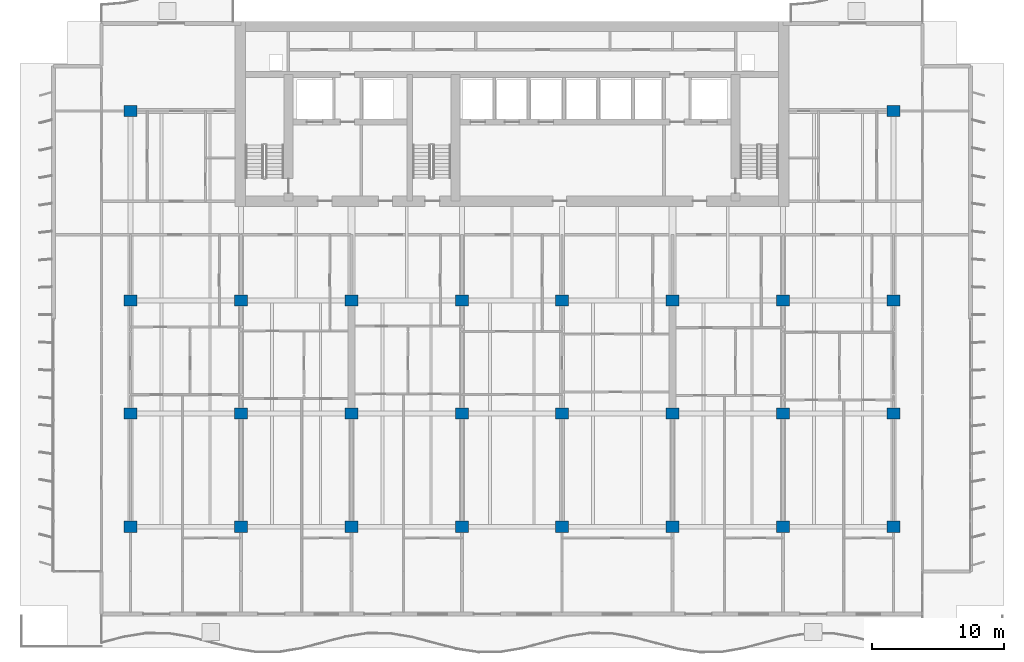
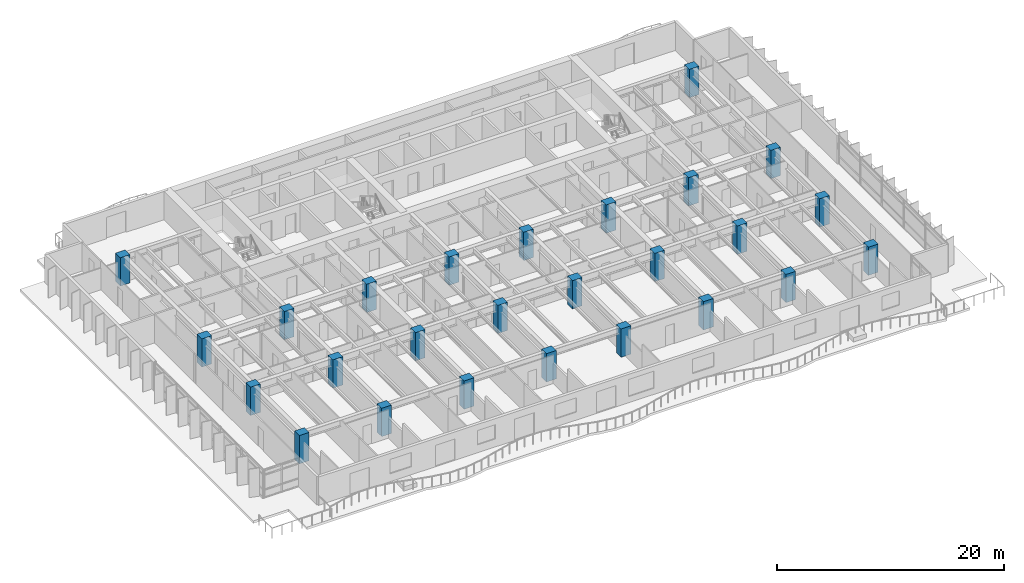
# One storey, part 1 of 17: 26 columns.
"""IFC4 building model written with IfcOpenShell, lengths in metres."""

from ifc_helpers import new_model, si_unit, direction, frame, origin, origin_2d, place, context, subcontext, project, spatial, rectangle, extrude, material, material_profile, profile_set, type_object, element, save


model = new_model("IFC4")

# Units and contexts
model_context = context("Model", 3, precision=1e-05, world=origin(), true_north=direction((0.0, 1.0)))
body_context = subcontext(model_context, "Body", "Model", "MODEL_VIEW")
ifc_project = project(units=[si_unit("LENGTHUNIT", "METRE"), si_unit("AREAUNIT", "SQUARE_METRE"), si_unit("VOLUMEUNIT", "CUBIC_METRE"), si_unit("PLANEANGLEUNIT", "RADIAN"), si_unit("MASSUNIT", "GRAM", prefix="KILO")], contexts=[model_context])

# Site, building, storey
site_placement = place(None, origin())
site = spatial("IfcSite", under=ifc_project, at=site_placement, CompositionType="ELEMENT")
building_placement = place(site_placement, origin())
building = spatial("IfcBuilding", under=site, at=building_placement, Name="Caelmar Bay Residences", CompositionType="ELEMENT")
storey_placement = place(building_placement, frame((0.0, 0.0, 84.60009765625)))
storey = spatial("IfcBuildingStorey", under=building, at=storey_placement, Name="L22", CompositionType="ELEMENT", Elevation=84.60009765625)

# Columns
ifc_material = material(Name="Concrete f'c 70 MPa (10,000 psi)", Category="concrete")
ifc_material_profile = material_profile(ifc_material, rectangle(XDim=1.0, YDim=0.85009765625, at=origin_2d()), Name="RC-COL-1000X850")
ifc_profile_set = profile_set([ifc_material_profile], Name="Concrete f'c 70 MPa (10,000 psi)")
column_type = type_object("IfcColumnType", Name="COL-RC-1000X850", PredefinedType="COLUMN", material=ifc_profile_set)
for number, where, z_axis, x_axis, name in (
    (1, (9.89990234375, 12.199951171875, 0.0), (0.0, 0.0, 1.0), (1.0, 0.0, 0.0), "L22 Column (9.90,12.20)"),
    (2, (18.300048828125, 12.199951171875, 0.0), (0.0, 0.0, 1.0), (1.0, 0.0, 0.0), "L22 Column (18.30,12.20)"),
    (3, (26.699951171875, 12.199951171875, 0.0), (0.0, 0.0, 1.0), (1.0, 0.0, 0.0), "L22 Column (26.70,12.20)"),
    (4, (35.10009765625, 12.199951171875, 0.0), (0.0, 0.0, 1.0), (1.0, 0.0, 0.0), "L22 Column (35.10,12.20)"),
    (5, (42.699951171875, 12.199951171875, 0.0), (0.0, 0.0, 1.0), (1.0, 0.0, 0.0), "L22 Column (42.70,12.20)"),
    (6, (51.10009765625, 12.199951171875, 0.0), (0.0, 0.0, 1.0), (1.0, 0.0, 0.0), "L22 Column (51.10,12.20)"),
    (7, (59.5, 12.199951171875, 0.0), (0.0, 0.0, 1.0), (1.0, 0.0, 0.0), "L22 Column (59.50,12.20)"),
    (8, (67.89990234375, 12.199951171875, 0.0), (0.0, 0.0, 1.0), (1.0, 0.0, 0.0), "L22 Column (67.90,12.20)"),
    (9, (9.89990234375, 20.800048828125, 0.0), (0.0, 0.0, 1.0), (1.0, 0.0, 0.0), "L22 Column (9.90,20.80)"),
    (10, (18.300048828125, 20.800048828125, 0.0), (0.0, 0.0, 1.0), (1.0, 0.0, 0.0), "L22 Column (18.30,20.80)"),
    (11, (26.699951171875, 20.800048828125, 0.0), (0.0, 0.0, 1.0), (1.0, 0.0, 0.0), "L22 Column (26.70,20.80)"),
    (12, (35.10009765625, 20.800048828125, 0.0), (0.0, 0.0, 1.0), (1.0, 0.0, 0.0), "L22 Column (35.10,20.80)"),
    (13, (42.699951171875, 20.800048828125, 0.0), (0.0, 0.0, 1.0), (1.0, 0.0, 0.0), "L22 Column (42.70,20.80)"),
    (14, (51.10009765625, 20.800048828125, 0.0), (0.0, 0.0, 1.0), (1.0, 0.0, 0.0), "L22 Column (51.10,20.80)"),
    (15, (59.5, 20.800048828125, 0.0), (0.0, 0.0, 1.0), (1.0, 0.0, 0.0), "L22 Column (59.50,20.80)"),
    (16, (67.89990234375, 20.800048828125, 0.0), (0.0, 0.0, 1.0), (1.0, 0.0, 0.0), "L22 Column (67.90,20.80)"),
    (17, (9.89990234375, 29.39990234375, 0.0), (0.0, 0.0, 1.0), (1.0, 0.0, 0.0), "L22 Column (9.90,29.40)"),
    (18, (18.300048828125, 29.39990234375, 0.0), (0.0, 0.0, 1.0), (1.0, 0.0, 0.0), "L22 Column (18.30,29.40)"),
    (19, (26.699951171875, 29.39990234375, 0.0), (0.0, 0.0, 1.0), (1.0, 0.0, 0.0), "L22 Column (26.70,29.40)"),
    (20, (35.10009765625, 29.39990234375, 0.0), (0.0, 0.0, 1.0), (1.0, 0.0, 0.0), "L22 Column (35.10,29.40)"),
    (21, (42.699951171875, 29.39990234375, 0.0), (0.0, 0.0, 1.0), (1.0, 0.0, 0.0), "L22 Column (42.70,29.40)"),
    (22, (51.10009765625, 29.39990234375, 0.0), (0.0, 0.0, 1.0), (1.0, 0.0, 0.0), "L22 Column (51.10,29.40)"),
    (23, (59.5, 29.39990234375, 0.0), (0.0, 0.0, 1.0), (1.0, 0.0, 0.0), "L22 Column (59.50,29.40)"),
    (24, (67.89990234375, 29.39990234375, 0.0), (0.0, 0.0, 1.0), (1.0, 0.0, 0.0), "L22 Column (67.90,29.40)"),
    (25, (9.89990234375, 43.800048828125, 0.0), (0.0, 0.0, 1.0), (1.0, 0.0, 0.0), "L22 Column (9.90,43.80)"),
    (26, (67.89990234375, 43.800048828125, 0.0), (0.0, 0.0, 1.0), (1.0, 0.0, 0.0), "L22 Column (67.90,43.80)"),
):
    element("IfcColumn", number, at=place(storey_placement, frame(where, z_axis=z_axis, x_axis=x_axis)), inside=storey, type_object=column_type, Name=name, PredefinedType="COLUMN", context=body_context, shape_type="SweptSolid", body=[
        extrude(rectangle(XDim=1.0, YDim=0.85009765625, at=origin_2d()), origin(), (0.0, 0.0, 1.0), 3.0498046875),
    ])

save(model, "model.ifc")
